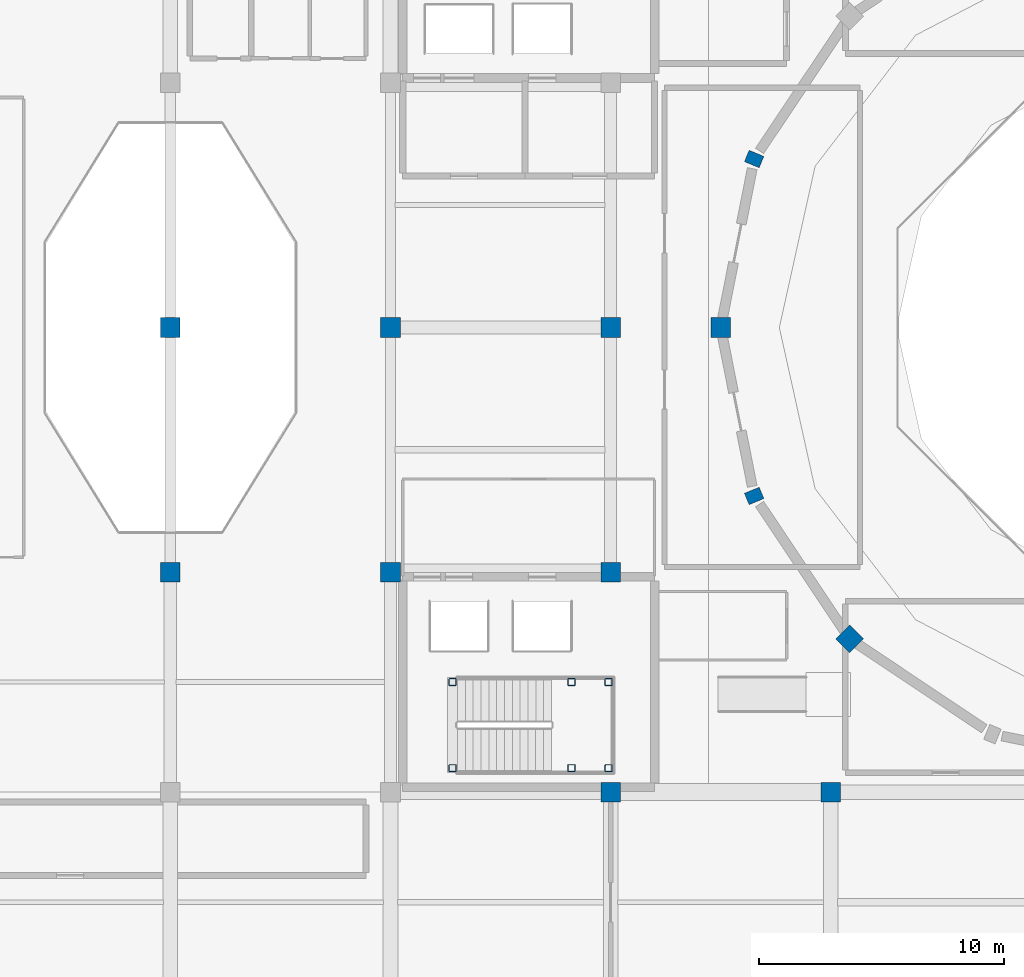
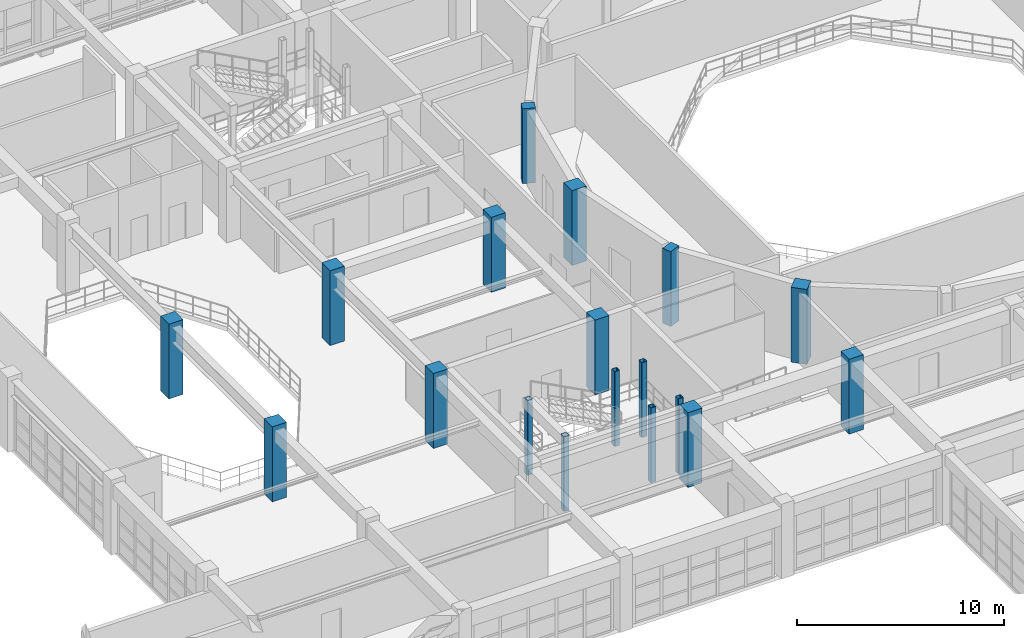
# One storey, part 3 of 133: 18 columns.
"""IFC4 building model written with IfcOpenShell, lengths in metres."""

from ifc_helpers import new_model, si_unit, direction, frame, origin, origin_2d, place, context, subcontext, project, spatial, rectangle, hollow_rectangle, extrude, material, material_profile, profile_set, type_object, element, save


model = new_model("IFC4")

# Units and contexts
model_context = context("Model", 3, precision=1e-05, world=origin(), true_north=direction((0.0, 1.0)))
body_context = subcontext(model_context, "Body", "Model", "MODEL_VIEW")
ifc_project = project(units=[si_unit("LENGTHUNIT", "METRE"), si_unit("AREAUNIT", "SQUARE_METRE"), si_unit("VOLUMEUNIT", "CUBIC_METRE"), si_unit("PLANEANGLEUNIT", "RADIAN"), si_unit("MASSUNIT", "GRAM", prefix="KILO")], contexts=[model_context])

# Site, building, storey
site_placement = place(None, origin())
site = spatial("IfcSite", under=ifc_project, at=site_placement, CompositionType="ELEMENT")
building_placement = place(site_placement, origin())
building = spatial("IfcBuilding", under=site, at=building_placement, Name="Miravela Opera House", CompositionType="ELEMENT")
storey_placement = place(building_placement, frame((0.0, 0.0, 5.10009765625)))
storey = spatial("IfcBuildingStorey", under=building, at=storey_placement, Name="L01", CompositionType="ELEMENT", Elevation=5.10009765625)

# Columns
ifc_material_1 = material(Name="Hollow structural steel ASTM A500 Gr. C", Category="steel")
ifc_material_profile_1 = material_profile(ifc_material_1, hollow_rectangle(XDim=0.300048828125, YDim=0.300048828125, WallThickness=0.01611328125, InnerFilletRadius=0.01611328125, OuterFilletRadius=0.031982421875, at=origin_2d()), Name="HSS300X300X16")
ifc_profile_set_1 = profile_set([ifc_material_profile_1])
column_type_1 = type_object("IfcColumnType", Name="STR-COL-HSS300", PredefinedType="COLUMN", material=ifc_profile_set_1)
for number, where, z_axis, x_axis, name in (
    (1, (47.5400390625, 37.97998046875, 0.0), (0.0, 0.0, 1.0), (1.0, 0.0, 0.0), "Stair K2 Landing Support Column 1 (L01)"),
    (2, (47.5400390625, 41.5, 0.0), (0.0, 0.0, 1.0), (1.0, 0.0, 0.0), "Stair K2 Landing Support Column 2 (L01)"),
    (3, (52.39990234375, 37.97998046875, 0.0), (0.0, 0.0, 1.0), (1.0, 0.0, 0.0), "Stair K2 Landing Support Column 3 (L01)"),
    (4, (52.39990234375, 41.5, 0.0), (0.0, 0.0, 1.0), (1.0, 0.0, 0.0), "Stair K2 Landing Support Column 4 (L01)"),
    (5, (53.919921875, 37.97998046875, 0.0), (0.0, 0.0, 1.0), (1.0, 0.0, 0.0), "Stair K2 Landing Support Column 5 (L01)"),
    (6, (53.919921875, 41.5, 0.0), (0.0, 0.0, 1.0), (1.0, 0.0, 0.0), "Stair K2 Landing Support Column 6 (L01)"),
):
    element("IfcColumn", number, at=place(storey_placement, frame(where, z_axis=z_axis, x_axis=x_axis)), inside=storey, type_object=column_type_1, Name=name, PredefinedType="COLUMN", context=body_context, shape_type="SweptSolid", body=[
        extrude(hollow_rectangle(XDim=0.300048828125, YDim=0.300048828125, WallThickness=0.01611328125, InnerFilletRadius=0.01611328125, OuterFilletRadius=0.031982421875, at=origin_2d()), origin(), (0.0, 0.0, 1.0), 4.419921875),
    ])
ifc_material_2 = material(Name="Concrete C40/50", Category="concrete")
ifc_material_profile_2 = material_profile(ifc_material_2, rectangle(XDim=0.800048828125, YDim=0.800048828125, at=origin_2d()), Name="RC-COL-800X800")
ifc_profile_set_2 = profile_set([ifc_material_profile_2])
column_type_2 = type_object("IfcColumnType", Name="STR-COL-RC800", PredefinedType="COLUMN", material=ifc_profile_set_2)
for number, where, z_axis, x_axis, name in (
    (7, (36.0, 46.0, 0.0), (0.0, 0.0, 1.0), (1.0, 0.0, 0.0), "Column C-5F (L01)"),
    (8, (36.0, 56.0, 0.0), (0.0, 0.0, 1.0), (1.0, 0.0, 0.0), "Column C-5G (L01)"),
    (9, (45.0, 46.0, 0.0), (0.0, 0.0, 1.0), (1.0, 0.0, 0.0), "Column C-6F (L01)"),
    (10, (45.0, 56.0, 0.0), (0.0, 0.0, 1.0), (1.0, 0.0, 0.0), "Column C-6G (L01)"),
    (11, (54.0, 37.0, 0.0), (0.0, 0.0, 1.0), (1.0, 0.0, 0.0), "Column C-7E (L01)"),
    (12, (54.0, 46.0, 0.0), (0.0, 0.0, 1.0), (1.0, 0.0, 0.0), "Column C-7F (L01)"),
    (13, (54.0, 56.0, 0.0), (0.0, 0.0, 1.0), (1.0, 0.0, 0.0), "Column C-7G (L01)"),
    (14, (63.0, 37.0, 0.0), (0.0, 0.0, 1.0), (1.0, 0.0, 0.0), "Column C-8E (L01)"),
):
    element("IfcColumn", number, at=place(storey_placement, frame(where, z_axis=z_axis, x_axis=x_axis)), inside=storey, type_object=column_type_2, Name=name, PredefinedType="COLUMN", context=body_context, shape_type="SweptSolid", body=[
        extrude(rectangle(XDim=0.800048828125, YDim=0.800048828125, at=origin_2d()), origin(), (0.0, 0.0, 1.0), 4.419921875),
    ])
ifc_material_3 = material(Name="Concrete C35/45", Category="concrete")
ifc_material_profile_3 = material_profile(ifc_material_3, rectangle(XDim=0.64990234375, YDim=0.5, at=origin_2d()), Name="RC-PIL-650X500")
ifc_profile_set_3 = profile_set([ifc_material_profile_3])
column_type_3 = type_object("IfcColumnType", Name="STR-PIL-RC650X500", PredefinedType="PILASTER", material=ifc_profile_set_3)
for number, where, z_axis, x_axis, name in (
    (15, (59.8701171875, 62.88818359375, 0.0), (0.0, 0.0, 1.0), (-0.923879532511, 0.382683432365, 0.0), "Auditorium Drum Column DC-08 (L01)"),
    (16, (59.8701171875, 49.11181640625, 0.0), (0.0, 0.0, 1.0), (-0.923879532511, -0.382683432365, 0.0), "Auditorium Drum Column DC-10 (L01)"),
):
    element("IfcColumn", number, at=place(storey_placement, frame(where, z_axis=z_axis, x_axis=x_axis)), inside=storey, type_object=column_type_3, Name=name, PredefinedType="PILASTER", context=body_context, shape_type="SweptSolid", body=[
        extrude(rectangle(XDim=0.64990234375, YDim=0.5, at=origin_2d()), origin(), (0.0, 0.0, 1.0), 4.419921875),
    ])
ifc_material_profile_4 = material_profile(ifc_material_2, rectangle(XDim=0.800048828125, YDim=0.800048828125, at=origin_2d()), Name="RC-COL-800X800")
ifc_profile_set_4 = profile_set([ifc_material_profile_4])
column_type_4 = type_object("IfcColumnType", Name="STR-PIL-RC800", PredefinedType="PILASTER", material=ifc_profile_set_4)
for number, where, z_axis, x_axis, name in (
    (17, (58.5, 56.0, 0.0), (0.0, 0.0, 1.0), (-1.0, 0.0, 0.0), "Auditorium Drum Column DC-09 (L01)"),
    (18, (63.772216796875, 43.272216796875, 0.0), (0.0, 0.0, 1.0), (-0.707106781187, -0.707106781187, 0.0), "Auditorium Drum Column DC-11 (L01)"),
):
    element("IfcColumn", number, at=place(storey_placement, frame(where, z_axis=z_axis, x_axis=x_axis)), inside=storey, type_object=column_type_4, Name=name, PredefinedType="PILASTER", context=body_context, shape_type="SweptSolid", body=[
        extrude(rectangle(XDim=0.800048828125, YDim=0.800048828125, at=origin_2d()), origin(), (0.0, 0.0, 1.0), 4.419921875),
    ])

save(model, "model.ifc")
